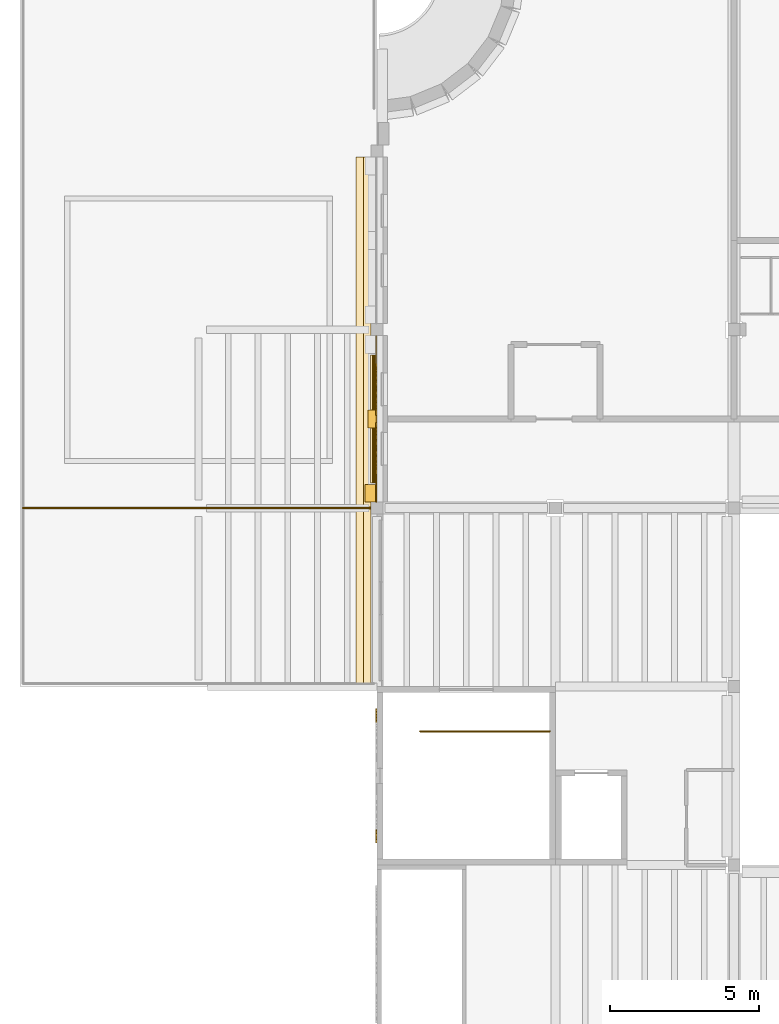
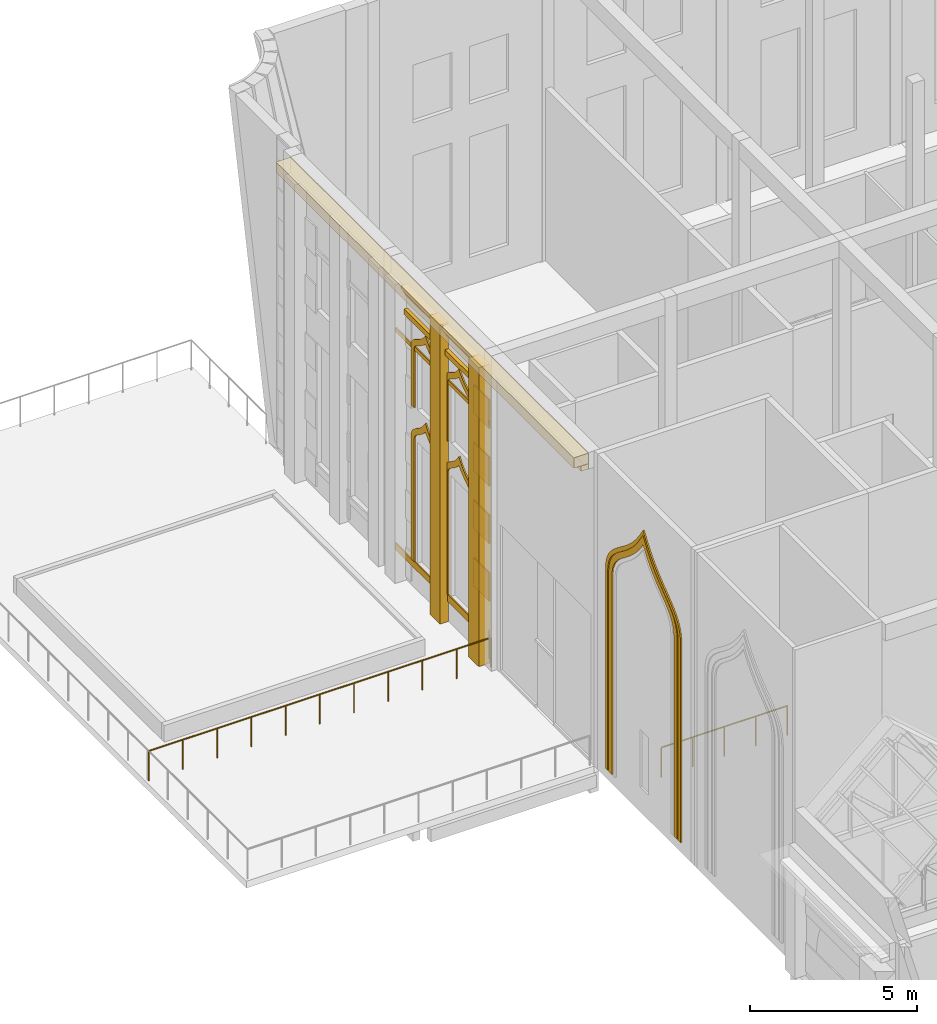
# One storey, part 113 of 118: 21 coverings, 2 railings.
"""IFC4 building model written with IfcOpenShell, lengths in metres."""

from ifc_helpers import new_model, si_unit, direction, frame, origin, origin_2d, place, context, subcontext, project, spatial, polyline, rectangle, circle, outline, extrude, material, layer, layer_set, type_object, element, save


model = new_model("IFC4")

# Units and contexts
model_context = context("Model", 3, precision=1e-05, world=origin(), true_north=direction((0.0, 1.0)))
body_context = subcontext(model_context, "Body", "Model", "MODEL_VIEW")
ifc_project = project(units=[si_unit("LENGTHUNIT", "METRE"), si_unit("AREAUNIT", "SQUARE_METRE"), si_unit("VOLUMEUNIT", "CUBIC_METRE"), si_unit("PLANEANGLEUNIT", "RADIAN"), si_unit("MASSUNIT", "GRAM", prefix="KILO")], contexts=[model_context])

# Site, building, storey
site_placement = place(None, origin())
site = spatial("IfcSite", under=ifc_project, at=site_placement, CompositionType="ELEMENT")
building_placement = place(site_placement, origin())
building = spatial("IfcBuilding", under=site, at=building_placement, Name="Saffron Lane Theatres", CompositionType="ELEMENT")
storey_placement = place(building_placement, frame((0.0, 0.0, 16.5)))
storey = spatial("IfcBuildingStorey", under=building, at=storey_placement, Name="L03", CompositionType="ELEMENT", Elevation=16.5)

# Coverings
ifc_material_1 = material(Name="Masonry sandstone", Category="masonry")
ifc_layer_1 = layer(ifc_material_1, 0.050048828125)
ifc_layer_set_1 = layer_set([ifc_layer_1], Name="Masonry sandstone")
covering_type_1 = type_object("IfcCoveringType", Name="EX-ARCH FRAME RING SANDSTONE 50", PredefinedType="CLADDING", material=ifc_layer_set_1)
covering_1_placement = place(storey_placement, frame((12.0, 96.962890625, 7.833984375), z_axis=(1.0, 0.0, 0.0), x_axis=(0.0, -0.063270109204, -0.997996439513)))
element("IfcCovering", 1, at=covering_1_placement, inside=storey, type_object=covering_type_1, Name="Arch recess ring L03", PredefinedType="CLADDING", context=body_context, shape_type="SweptSolid", body=[
    extrude(outline(polyline([(0.0, 0.0), (0.20451131328636926, 0.0), (7.420006078850079, 0.4574416537976993), (7.40735514637016, 0.6569922114054754), (0.19770801619422412, 0.19992128090389083), (0.0144407216005487, 0.20053419842883544), (-0.1432761019235517, 0.22258203382804242), (-0.2812437493538364, 0.2649631093819253), (-0.40748727254448935, 0.3269240290838356), (-0.5247605743453448, 0.40559926506631966), (-0.6390348645762146, 0.5025673058291871), (-0.7535359022319095, 0.6146880784224842), (-0.8697101493553678, 0.7416252505476917), (-0.9917579708393627, 0.8801769620388366), (-1.124428821741667, 1.0280850650198985), (-1.2693046879516765, 1.1832922200669196), (-1.4318505321466313, 1.3432502874173748), (-1.61456115889787, 1.5048655345333244), (-1.820983212694718, 1.6662006990332623), (-2.0556688375324716, 1.8257440342686455), (-2.188717697959195, 1.9024406220928562), (-2.066419813119802, 1.9953254605140816), (-1.8537613307928715, 2.18322912790225), (-1.6693664195068467, 2.369340966025863), (-1.5085284672263832, 2.552736206788559), (-1.367484574206089, 2.731940991928976), (-1.2433692125785105, 2.9042014185972795), (-1.1304393771943213, 3.067679900015165), (-1.0268659333000492, 3.2205353520147404), (-0.9276522769738447, 3.361127498880178), (-0.8282273200268198, 3.486810565389676), (-0.7271137068080267, 3.597433580892773), (-0.6207149550265398, 3.69028898295165), (-0.5032452165106046, 3.766722100760383), (-0.37179612037033916, 3.82716194744152), (-0.2181263594954924, 3.868950798358842), (-0.036403745302295454, 3.8927030282829542), (7.173243384873641, 4.349773958784539), (7.160592452393722, 4.549324516392314), (-0.05490231316998792, 4.091882862594615), (-0.25777626523185, 4.066055806298615), (-0.4399925942549357, 4.015362892944497), (-0.6007775027933451, 3.9430333789166583), (-0.7421419898590216, 3.8499182956810216), (-0.8672570220099287, 3.7397307051813806), (-0.980770921454978, 3.6163346400119867), (-1.0873594066215049, 3.480167565320222), (-1.1904062019339534, 3.334439793296892), (-1.295867070408131, 3.1804861609673156), (-1.406971268428434, 3.0190804657773938), (-1.527512589348264, 2.8521838689374683), (-1.6619231001204655, 2.6802492823989263), (-1.8152148514708935, 2.5051606333520864), (-1.9914252882274395, 2.3288636362032866), (-2.193447334475981, 2.15068562635549), (-2.5481036228327842, 1.8796565861857983), (-2.162059428738258, 1.6555858301906534), (-1.9391533034752475, 1.5043470465272013), (-1.7420124472922178, 1.3504962957412796), (-1.567913850947345, 1.1973864086493233), (-1.4128664100247506, 1.0438026252684656), (-1.2722133502906907, 0.8934650023216696), (-1.1416152856163493, 0.747382536704494), (-1.0175564651204108, 0.6079797937474251), (-0.896931206850517, 0.47643218780048757), (-0.7740000030469277, 0.3548160024812303), (-0.6458116397973328, 0.2467431668845833), (-0.5077830794984254, 0.15323812471010928), (-0.3557911912774569, 0.07872099349623404), (-0.18709751908859773, 0.026300952584901824), (0.0, 0.0)])), origin(), (0.0, 0.0, -1.0), 0.050048828125),
])
covering_2_placement = place(storey_placement, frame((12.0, 96.763916015625, 7.84912109375), z_axis=(1.0, 0.0, 0.0), x_axis=(0.0, -0.063067105822, -0.998009288616)))
element("IfcCovering", 2, at=covering_2_placement, inside=storey, type_object=covering_type_1, Name="Arch recess ring L03", PredefinedType="CLADDING", context=body_context, shape_type="SweptSolid", body=[
    extrude(outline(polyline([(0.0, 0.0), (0.22065410238359984, 0.0), (7.4352671482605315, 0.4559123543403382), (7.426444528232263, 0.5955264467174906), (0.21572995613898713, 0.13986044825926805), (0.01120324984086172, 0.1401457024385599), (-0.16661464303161863, 0.166826152522514), (-0.32408683559152085, 0.21607490839936183), (-0.46710723024222456, 0.28825340008036515), (-0.6001051004476012, 0.3799015700062919), (-0.7271917801175201, 0.490270355829437), (-0.8536968762192425, 0.6185337089889348), (-0.9827851974313513, 0.7605775943042785), (-1.1168470981407341, 0.9155170755147107), (-1.261591713839184, 1.080789727293752), (-1.418829706234838, 1.2540794801970379), (-1.5953961004210881, 1.4312849950160573), (-1.7941531627651468, 1.6112468863933098), (-2.017809187207904, 1.7903692228565102), (-2.272363155580528, 1.966805145670982), (-2.4713360494485013, 2.0843733579964816), (-2.288745821741221, 2.2260536522840537), (-2.0584271132717276, 2.4331300879366635), (-1.859098732187894, 2.6389820376094155), (-1.684576929746966, 2.8425325046992453), (-1.5317222892143505, 3.04055509155704), (-1.3975493662817773, 3.232259946648473), (-1.2747612185768877, 3.414438770837703), (-1.1612700340241646, 3.5850218505624816), (-1.0510895267644345, 3.7421858281426754), (-0.9417369589550166, 3.8853537121701716), (-0.8295548101530967, 4.010842590258168), (-0.7091518844208844, 4.118503892521613), (-0.5763552588779816, 4.208112062862301), (-0.42633533175207877, 4.2767921389410235), (-0.2532905840955898, 4.325644618415389), (-0.050426780001745275, 4.35167406227577), (7.160287792091531, 4.807340060733993), (7.151465172063263, 4.946954153111145), (-0.06314787381366846, 4.491041798770807), (-0.28204669053719406, 4.463265173062264), (-0.4748093632101681, 4.409007991296921), (-0.6452138889458251, 4.329988531727125), (-0.7951660141787333, 4.229266523603667), (-0.9290696204287744, 4.110722342196935), (-1.0496511001501079, 3.9749175816724094), (-1.1644664475692028, 3.825288798534778), (-1.2765780932074908, 3.6638441173757603), (-1.3909823072355991, 3.4922248302345396), (-1.5116545496503437, 3.3114028542863916), (-1.6450992100191186, 3.1236580619491425), (-1.7933887031748097, 2.9308165121735614), (-1.9622040713945823, 2.7337423414364994), (-2.1560542756261065, 2.5341076362624033), (-2.3787173129826167, 2.333630674903618), (-2.718645480099129, 2.068745156724768), (-2.3480768001444785, 1.8487579980615008), (-2.101948365016449, 1.6779053315271268), (-1.8845095850723483, 1.5042611719162358), (-1.6922288190810568, 1.330005714760139), (-1.5208434619770204, 1.1573653473180439), (-1.3648264439093958, 0.987912479227884), (-1.2223517059274132, 0.8237195253225451), (-1.0872535978015876, 0.667867014636728), (-0.9557106319614249, 0.5218195761099406), (-0.8229728941184138, 0.38783439148665516), (-0.6862551041185031, 0.26828911918176446), (-0.5384939794994548, 0.16754415025789063), (-0.37705551126290276, 0.08649981821842358), (-0.19805932413846122, 0.029560004583244877), (0.0, 0.0)])), origin(), (0.0, 0.0, -1.0), 0.050048828125),
])
ifc_material_2 = material(Name="Masonry sandstone", Category="masonry")
ifc_layer_2 = layer(ifc_material_2, 0.25)
ifc_layer_set_2 = layer_set([ifc_layer_2], Name="Masonry sandstone")
covering_type_2 = type_object("IfcCoveringType", Name="EX-CORBEL COURSE SANDSTONE 250", PredefinedType="CLADDING", material=ifc_layer_set_2)
covering_3_placement = place(storey_placement, frame((11.675048828125, 110.89990234375, 10.89990234375), z_axis=(0.0, 0.0, 1.0), x_axis=(0.0, 1.0, 0.0)))
element("IfcCovering", 3, at=covering_3_placement, inside=storey, type_object=covering_type_2, Name="Corbel course west face", PredefinedType="CLADDING", context=body_context, shape_type="SweptSolid", body=[
    extrude(rectangle(XDim=17.800048828125, YDim=0.25, at=origin_2d()), origin(), (0.0, 0.0, 1.0), 0.199951171875),
])
ifc_material_3 = material(Name="Masonry sandstone", Category="masonry")
ifc_layer_3 = layer(ifc_material_3, 0.5)
ifc_layer_set_3 = layer_set([ifc_layer_3], Name="Masonry sandstone")
covering_type_3 = type_object("IfcCoveringType", Name="EX-CORNICE SANDSTONE 500", PredefinedType="CLADDING", material=ifc_layer_set_3)
covering_4_placement = place(storey_placement, frame((11.550048828125, 110.89990234375, 11.10009765625), z_axis=(0.0, 0.0, 1.0), x_axis=(0.0, 1.0, 0.0)))
element("IfcCovering", 4, at=covering_4_placement, inside=storey, type_object=covering_type_3, Name="Cornice west face", PredefinedType="CLADDING", context=body_context, shape_type="SweptSolid", body=[
    extrude(rectangle(XDim=17.800048828125, YDim=0.5, at=origin_2d()), origin(), (0.0, 0.0, 1.0), 0.3798828125),
])
ifc_material_4 = material(Name="Masonry sandstone", Category="masonry")
ifc_layer_4 = layer(ifc_material_4, 0.179931640625)
ifc_layer_set_4 = layer_set([ifc_layer_4], Name="Masonry sandstone")
covering_type_4 = type_object("IfcCoveringType", Name="EX-EAVES CORNICE SANDSTONE 180", PredefinedType="CLADDING", material=ifc_layer_set_4)
covering_5_placement = place(storey_placement, frame((11.889892578125, 111.0, 10.7099609375), z_axis=(0.0, 0.0, 1.0), x_axis=(0.0, 1.0, 0.0)))
element("IfcCovering", 5, at=covering_5_placement, inside=storey, type_object=covering_type_4, Name="Eaves cornice L03", PredefinedType="CLADDING", context=body_context, shape_type="SweptSolid", body=[
    extrude(rectangle(XDim=4.300048828125, YDim=0.219970703125, at=origin_2d()), origin(), (0.0, 0.0, 1.0), 0.1298828125),
])
covering_6_placement = place(storey_placement, frame((11.925048828125, 111.0, 10.580078125), z_axis=(0.0, 0.0, 1.0), x_axis=(0.0, 1.0, 0.0)))
element("IfcCovering", 6, at=covering_6_placement, inside=storey, type_object=covering_type_4, Name="Eaves cornice L03", PredefinedType="CLADDING", context=body_context, shape_type="SweptSolid", body=[
    extrude(rectangle(XDim=4.300048828125, YDim=0.14990234375, at=origin_2d()), origin(), (0.0, 0.0, 1.0), 0.1298828125),
])
covering_7_placement = place(storey_placement, frame((11.9599609375, 111.0, 10.449951171875), z_axis=(0.0, 0.0, 1.0), x_axis=(0.0, 1.0, 0.0)))
element("IfcCovering", 7, at=covering_7_placement, inside=storey, type_object=covering_type_4, Name="Eaves cornice L03", PredefinedType="CLADDING", context=body_context, shape_type="SweptSolid", body=[
    extrude(rectangle(XDim=4.300048828125, YDim=0.080078125, at=origin_2d()), origin(), (0.0, 0.0, 1.0), 0.1298828125),
])
ifc_material_5 = material(Name="Masonry sandstone", Category="masonry")
ifc_layer_5 = layer(ifc_material_5, 0.1201171875)
ifc_layer_set_5 = layer_set([ifc_layer_5], Name="Masonry sandstone")
covering_type_5 = type_object("IfcCoveringType", Name="EX-EAVES STRING COURSE SANDSTONE 120", PredefinedType="CLADDING", material=ifc_layer_set_5)
covering_8_placement = place(storey_placement, frame((11.93994140625, 111.0, 9.75), z_axis=(0.0, 0.0, 1.0), x_axis=(0.0, 1.0, 0.0)))
element("IfcCovering", 8, at=covering_8_placement, inside=storey, type_object=covering_type_5, Name="Eaves string course L03", PredefinedType="CLADDING", context=body_context, shape_type="SweptSolid", body=[
    extrude(rectangle(XDim=4.300048828125, YDim=0.1201171875, at=origin_2d()), origin(), (0.0, 0.0, 1.0), 0.199951171875),
])
ifc_material_6 = material(Name="Face brick cladding, pale buff", Category="masonry")
ifc_layer_6 = layer(ifc_material_6, 0.0400390625)
ifc_layer_set_6 = layer_set([ifc_layer_6], Name="Face brick cladding, pale buff")
covering_type_6 = type_object("IfcCoveringType", Name="EX-FACE BRICK CLADDING PALE BUFF 40", PredefinedType="CLADDING", material=ifc_layer_set_6)
for number, where, z_axis, x_axis, name in (
    (9, (11.97998046875, 108.6650390625, 0.14990234375), (0.0, 0.0, 1.0), (0.0, 1.0, 0.0), "Cladding course L03"),
    (10, (11.97998046875, 108.6650390625, 2.25), (0.0, 0.0, 1.0), (0.0, 1.0, 0.0), "Cladding course L03"),
    (11, (11.97998046875, 108.6650390625, 4.35009765625), (0.0, 0.0, 1.0), (0.0, 1.0, 0.0), "Cladding course L03"),
    (12, (11.97998046875, 108.6650390625, 6.4501953125), (0.0, 0.0, 1.0), (0.0, 1.0, 0.0), "Cladding course L03"),
    (13, (11.97998046875, 108.6650390625, 8.5498046875), (0.0, 0.0, 1.0), (0.0, 1.0, 0.0), "Cladding course L03"),
):
    element("IfcCovering", number, at=place(storey_placement, frame(where, z_axis=z_axis, x_axis=x_axis)), inside=storey, type_object=covering_type_6, Name=name, PredefinedType="CLADDING", context=body_context, shape_type="SweptSolid", body=[
        extrude(rectangle(XDim=0.929931640625, YDim=0.0400390625, at=origin_2d()), origin(), (0.0, 0.0, 1.0), 1.050048828125),
    ])
ifc_material_7 = material(Name="Masonry sandstone", Category="masonry")
ifc_layer_7 = layer(ifc_material_7, 0.0400390625)
ifc_layer_set_7 = layer_set([ifc_layer_7], Name="Masonry sandstone")
covering_type_7 = type_object("IfcCoveringType", Name="EX-HEAD COURSE SANDSTONE 150", PredefinedType="CLADDING", material=ifc_layer_set_7)
covering_9_placement = place(storey_placement, frame((11.97998046875, 111.0, 8.699951171875), z_axis=(0.0, 0.0, 1.0), x_axis=(0.0, 1.0, 0.0)))
element("IfcCovering", 14, at=covering_9_placement, inside=storey, type_object=covering_type_7, Name="Facade head course L03", PredefinedType="CLADDING", context=body_context, shape_type="SweptSolid", body=[
    extrude(rectangle(XDim=5.60009765625, YDim=0.0400390625, at=origin_2d()), origin(), (0.0, 0.0, 1.0), 0.14990234375),
])
ifc_material_8 = material(Name="Masonry sandstone", Category="masonry")
ifc_layer_8 = layer(ifc_material_8, 0.050048828125)
ifc_layer_set_8 = layer_set([ifc_layer_8], Name="Masonry sandstone")
covering_type_8 = type_object("IfcCoveringType", Name="EX-HOOD RING SANDSTONE 50", PredefinedType="CLADDING", material=ifc_layer_set_8)
covering_10_placement = place(storey_placement, frame((12.0, 109.135986328125, 5.531982421875), z_axis=(1.0, 0.0, 0.0), x_axis=(0.0, -0.078130341124, -0.99694315274)))
element("IfcCovering", 15, at=covering_10_placement, inside=storey, type_object=covering_type_8, Name="Window hood ring L03", PredefinedType="CLADDING", context=body_context, shape_type="SweptSolid", body=[
    extrude(outline(polyline([(0.0, 0.0), (0.07811965924127641, 8.673617379884035e-19), (4.51860571358575, 0.348000474478407), (4.5029643855287285, 0.5475838204859967), (0.07051034388943878, 0.2002128140879333), (0.015441424254536285, 0.1998152954578012), (-0.02623088864743072, 0.2065898979855227), (-0.06326879049484424, 0.21984992921981394), (-0.09703727328253409, 0.2382639687967968), (-0.13214633233345252, 0.26440940238362326), (-0.16685405779617615, 0.29793296486368853), (-0.2041193311441259, 0.33909254740203026), (-0.24420462149201466, 0.38811246953273454), (-0.28736782000488015, 0.4420338497823805), (-0.3340575657508945, 0.5003317499215421), (-0.38620193853494034, 0.5626101773033125), (-0.4454665490471872, 0.6282488197466987), (-0.5118468193379598, 0.6940644762441935), (-0.5873280535830812, 0.7603913371220885), (-0.6587104968856504, 0.8150398483784828), (-0.5967128504172938, 0.8801413447266424), (-0.5324857424571023, 0.9574171352444522), (-0.47716885054812513, 1.0327701868986672), (-0.4287768705145394, 1.105866309362996), (-0.387047333241632, 1.1764811831033524), (-0.3500094313942185, 1.2413408111103374), (-0.3157732347480431, 1.3013279746796576), (-0.2837375059124262, 1.355020457445542), (-0.25341545623856876, 1.4024564089886185), (-0.2243538687086235, 1.4409775665308049), (-0.19374646017167702, 1.4722731935022604), (-0.16325884131789892, 1.4957229777219914), (-0.12873881179185953, 1.5145909973084342), (-0.08863063169559462, 1.5277747293814716), (-0.03417210535072224, 1.5359608663923878), (4.3982819362885675, 1.8833318727904511), (4.382640608231546, 2.082915218798041), (-0.05784544611292687, 1.734914744319634), (-0.13501136583853127, 1.722745028099659), (-0.20734831164838508, 1.6989541866291236), (-0.27201185081094814, 1.6647446946893871), (-0.3286105686289885, 1.6213716734830736), (-0.3758748470592437, 1.571383514996059), (-0.41699246505889587, 1.5179588422861752), (-0.4546407601963395, 1.4608878326599741), (-0.48889603163282835, 1.4011440634150536), (-0.5242729007397474, 1.3400879485965684), (-0.5594971715241591, 1.2770846791828874), (-0.5985585271280223, 1.2130460301509924), (-0.64166221229511, 1.147466138061772), (-0.6905310620865317, 1.0804548737074307), (-0.7455610691491948, 1.0139403168928514), (-0.8105702435122374, 0.9466436936754209), (-0.9836419199589825, 0.7895750033100398), (-0.7882145892648852, 0.6613855454792072), (-0.7135154214226149, 0.6050378519016919), (-0.6487954208807241, 0.5479080919213253), (-0.5900839792875671, 0.48932788488552464), (-0.5372903006412517, 0.43126346017979944), (-0.48872969946129513, 0.3740917356607433), (-0.4441206318426708, 0.31734499746987055), (-0.3995878633853003, 0.2615718365765959), (-0.35652003882400196, 0.2088674279489475), (-0.3104406863680177, 0.1583581461905698), (-0.26150240433985494, 0.11199114589665882), (-0.2070278551711193, 0.06997624976066244), (-0.14436335403340483, 0.035949875807934885), (-0.075160014776243, 0.012231518540590533), (0.0, 0.0)])), origin(), (0.0, 0.0, -1.0), 0.050048828125),
])
covering_11_placement = place(storey_placement, frame((12.0, 111.135986328125, 5.531982421875), z_axis=(1.0, 0.0, 0.0), x_axis=(0.0, -0.078130341124, -0.99694315274)))
element("IfcCovering", 16, at=covering_11_placement, inside=storey, type_object=covering_type_8, Name="Window hood ring L03", PredefinedType="CLADDING", context=body_context, shape_type="SweptSolid", body=[
    extrude(outline(polyline([(0.0, 0.0), (0.07811965924127641, 8.673617379884035e-19), (4.51860571358575, 0.348000474478407), (4.5029643855287285, 0.5475838204859967), (0.07051034388943878, 0.2002128140879333), (0.015441424254536285, 0.1998152954578012), (-0.02623088864743072, 0.2065898979855227), (-0.06326879049484424, 0.21984992921981394), (-0.09703727328253409, 0.2382639687967968), (-0.13214633233345252, 0.26440940238362326), (-0.16685405779617615, 0.29793296486368853), (-0.2041193311441259, 0.33909254740203026), (-0.24420462149201466, 0.38811246953273454), (-0.28736782000488015, 0.4420338497823805), (-0.3340575657508945, 0.5003317499215421), (-0.38620193853494034, 0.5626101773033125), (-0.4454665490471872, 0.6282488197466987), (-0.5118468193379598, 0.6940644762441935), (-0.5873280535830812, 0.7603913371220885), (-0.6587104968856504, 0.8150398483784828), (-0.5967128504172938, 0.8801413447266424), (-0.5324857424571023, 0.9574171352444522), (-0.47716885054812513, 1.0327701868986672), (-0.4287768705145394, 1.105866309362996), (-0.387047333241632, 1.1764811831033524), (-0.3500094313942185, 1.2413408111103374), (-0.3157732347480431, 1.3013279746796576), (-0.2837375059124262, 1.355020457445542), (-0.25341545623856876, 1.4024564089886185), (-0.2243538687086235, 1.4409775665308049), (-0.19374646017167702, 1.4722731935022604), (-0.16325884131789892, 1.4957229777219914), (-0.12873881179185953, 1.5145909973084342), (-0.08863063169559462, 1.5277747293814716), (-0.03417210535072224, 1.5359608663923878), (4.3982819362885675, 1.8833318727904511), (4.382640608231546, 2.082915218798041), (-0.05784544611292687, 1.734914744319634), (-0.13501136583853127, 1.722745028099659), (-0.20734831164838508, 1.6989541866291236), (-0.27201185081094814, 1.6647446946893871), (-0.3286105686289885, 1.6213716734830736), (-0.3758748470592437, 1.571383514996059), (-0.41699246505889587, 1.5179588422861752), (-0.4546407601963395, 1.4608878326599741), (-0.48889603163282835, 1.4011440634150536), (-0.5242729007397474, 1.3400879485965684), (-0.5594971715241591, 1.2770846791828874), (-0.5985585271280223, 1.2130460301509924), (-0.64166221229511, 1.147466138061772), (-0.6905310620865317, 1.0804548737074307), (-0.7455610691491948, 1.0139403168928514), (-0.8105702435122374, 0.9466436936754209), (-0.9836419199589825, 0.7895750033100398), (-0.7882145892648852, 0.6613855454792072), (-0.7135154214226149, 0.6050378519016919), (-0.6487954208807241, 0.5479080919213253), (-0.5900839792875671, 0.48932788488552464), (-0.5372903006412517, 0.43126346017979944), (-0.48872969946129513, 0.3740917356607433), (-0.4441206318426708, 0.31734499746987055), (-0.3995878633853003, 0.2615718365765959), (-0.35652003882400196, 0.2088674279489475), (-0.3104406863680177, 0.1583581461905698), (-0.26150240433985494, 0.11199114589665882), (-0.2070278551711193, 0.06997624976066244), (-0.14436335403340483, 0.035949875807934885), (-0.075160014776243, 0.012231518540590533), (0.0, 0.0)])), origin(), (0.0, 0.0, -1.0), 0.050048828125),
])
covering_12_placement = place(storey_placement, frame((12.0, 109.135986328125, 8.825927734375), z_axis=(1.0, 0.0, 0.0), x_axis=(0.0, -0.084443076686, -0.996428304897)))
element("IfcCovering", 17, at=covering_12_placement, inside=storey, type_object=covering_type_8, Name="Window hood ring L03", PredefinedType="CLADDING", context=body_context, shape_type="SweptSolid", body=[
    extrude(outline(polyline([(0.0, 0.0), (0.07227964522991924, -8.673617379884035e-19), (2.2183954913726747, 0.18187422424938607), (2.2014903832470236, 0.3813545001320725), (0.06315913323627513, 0.20013998741929723), (0.018067849708927903, 0.20023894414978885), (-0.0145631321706831, 0.20653918932442183), (-0.04468721021117312, 0.21795219890778844), (-0.07313727022751326, 0.23563246808895752), (-0.10348400091160942, 0.26123752210366363), (-0.13449044313231637, 0.29462717225037705), (-0.16814397789367408, 0.3361230279031955), (-0.2044033732246444, 0.3852385518038685), (-0.24302123729899833, 0.4390545204028934), (-0.28523452924788095, 0.49771112240179993), (-0.3327255134896499, 0.5608207772728292), (-0.3852674141835952, 0.6257075300956039), (-0.4440559584898239, 0.6920250323134031), (-0.5119279060157623, 0.758552817583497), (-0.5811481389946491, 0.8178608847248068), (-0.5228956103119167, 0.887971728278118), (-0.4671870942422396, 0.9649724341919081), (-0.42039705350811957, 1.0402372741249915), (-0.3795238006179775, 1.1130405653870954), (-0.34333037644066833, 1.1832421192766907), (-0.31159000513548185, 1.2481659808733996), (-0.28257919031302253, 1.3077131934467305), (-0.25501974087110696, 1.3612570310369034), (-0.2289116568097351, 1.4087974936439185), (-0.20396631433163975, 1.4469288204600217), (-0.17836126031693364, 1.477275551144118), (-0.15329222192572375, 1.4994913371394862), (-0.12551836623440968, 1.5158109512763955), (-0.09441296728321111, 1.5275125846570292), (-0.04998139529247468, 1.535198224058545), (2.0883498547182735, 1.7164127367713202), (2.0714447465926225, 1.9158930126540068), (-0.07467109955013333, 1.7340187884046208), (-0.14591994550409823, 1.7218553569483592), (-0.21315692067604877, 1.6970460799746898), (-0.2723289223129325, 1.6609145037539377), (-0.3227102677244774, 1.6164623157776823), (-0.36456896472243183, 1.5668520082245512), (-0.4001562789254799, 1.5126278431122484), (-0.43160390323629527, 1.4558143102187484), (-0.4616496405318128, 1.3969144395907165), (-0.49146860198662035, 1.3353386140423074), (-0.5214277521429577, 1.2725258293627528), (-0.5551967364232222, 1.208410114398392), (-0.5918024803109132, 1.1430739330913013), (-0.6331911328390325, 1.076352357557328), (-0.6817170395538596, 1.010005992959802), (-0.7363246619968173, 0.9431442287242988), (-0.8820714332225553, 0.792358910637696), (-0.7129461344181727, 0.6672776032962909), (-0.647948055273595, 0.6115319784526796), (-0.5888667639729953, 0.5533248049380891), (-0.5369227268591035, 0.4954928423599461), (-0.48984406232771627, 0.4372485600714213), (-0.4457670852879081, 0.3797299604731684), (-0.40566487025618, 0.32285457962311104), (-0.36590900378117247, 0.2671749259331607), (-0.3263799131468749, 0.21417122716358789), (-0.2858200232366231, 0.16346002598373752), (-0.24161522708659655, 0.11599790412169526), (-0.19200491953346546, 0.07413920712374089), (-0.13486153087165995, 0.03879928474692186), (-0.07045306891292813, 0.013140629169866094), (0.0, 0.0)])), origin(), (0.0, 0.0, -1.0), 0.050048828125),
])
covering_13_placement = place(storey_placement, frame((12.0, 111.135986328125, 8.825927734375), z_axis=(1.0, 0.0, 0.0), x_axis=(0.0, -0.084443076686, -0.996428304897)))
element("IfcCovering", 18, at=covering_13_placement, inside=storey, type_object=covering_type_8, Name="Window hood ring L03", PredefinedType="CLADDING", context=body_context, shape_type="SweptSolid", body=[
    extrude(outline(polyline([(0.0, 0.0), (0.07227964522991924, -8.673617379884035e-19), (2.2183954913726747, 0.18187422424938607), (2.2014903832470236, 0.3813545001320725), (0.06315913323627513, 0.20013998741929723), (0.018067849708927903, 0.20023894414978885), (-0.0145631321706831, 0.20653918932442183), (-0.04468721021117312, 0.21795219890778844), (-0.07313727022751326, 0.23563246808895752), (-0.10348400091160942, 0.26123752210366363), (-0.13449044313231637, 0.29462717225037705), (-0.16814397789367408, 0.3361230279031955), (-0.2044033732246444, 0.3852385518038685), (-0.24302123729899833, 0.4390545204028934), (-0.28523452924788095, 0.49771112240179993), (-0.3327255134896499, 0.5608207772728292), (-0.3852674141835952, 0.6257075300956039), (-0.4440559584898239, 0.6920250323134031), (-0.5119279060157623, 0.758552817583497), (-0.5811481389946491, 0.8178608847248068), (-0.5228956103119167, 0.887971728278118), (-0.4671870942422396, 0.9649724341919081), (-0.42039705350811957, 1.0402372741249915), (-0.3795238006179775, 1.1130405653870954), (-0.34333037644066833, 1.1832421192766907), (-0.31159000513548185, 1.2481659808733996), (-0.28257919031302253, 1.3077131934467305), (-0.25501974087110696, 1.3612570310369034), (-0.2289116568097351, 1.4087974936439185), (-0.20396631433163975, 1.4469288204600217), (-0.17836126031693364, 1.477275551144118), (-0.15329222192572375, 1.4994913371394862), (-0.12551836623440968, 1.5158109512763955), (-0.09441296728321111, 1.5275125846570292), (-0.04998139529247468, 1.535198224058545), (2.0883498547182735, 1.7164127367713202), (2.0714447465926225, 1.9158930126540068), (-0.07467109955013333, 1.7340187884046208), (-0.14591994550409823, 1.7218553569483592), (-0.21315692067604877, 1.6970460799746898), (-0.2723289223129325, 1.6609145037539377), (-0.3227102677244774, 1.6164623157776823), (-0.36456896472243183, 1.5668520082245512), (-0.4001562789254799, 1.5126278431122484), (-0.43160390323629527, 1.4558143102187484), (-0.4616496405318128, 1.3969144395907165), (-0.49146860198662035, 1.3353386140423074), (-0.5214277521429577, 1.2725258293627528), (-0.5551967364232222, 1.208410114398392), (-0.5918024803109132, 1.1430739330913013), (-0.6331911328390325, 1.076352357557328), (-0.6817170395538596, 1.010005992959802), (-0.7363246619968173, 0.9431442287242988), (-0.8820714332225553, 0.792358910637696), (-0.7129461344181727, 0.6672776032962909), (-0.647948055273595, 0.6115319784526796), (-0.5888667639729953, 0.5533248049380891), (-0.5369227268591035, 0.4954928423599461), (-0.48984406232771627, 0.4372485600714213), (-0.4457670852879081, 0.3797299604731684), (-0.40566487025618, 0.32285457962311104), (-0.36590900378117247, 0.2671749259331607), (-0.3263799131468749, 0.21417122716358789), (-0.2858200232366231, 0.16346002598373752), (-0.24161522708659655, 0.11599790412169526), (-0.19200491953346546, 0.07413920712374089), (-0.13486153087165995, 0.03879928474692186), (-0.07045306891292813, 0.013140629169866094), (0.0, 0.0)])), origin(), (0.0, 0.0, -1.0), 0.050048828125),
])
ifc_material_9 = material(Name="Masonry sandstone", Category="masonry")
ifc_layer_9 = layer(ifc_material_9, 0.39990234375)
ifc_layer_set_9 = layer_set([ifc_layer_9], Name="Masonry sandstone")
covering_type_9 = type_object("IfcCoveringType", Name="EX-PILASTER PIER SANDSTONE 400", PredefinedType="CLADDING", material=ifc_layer_set_9)
covering_14_placement = place(storey_placement, frame((11.800048828125, 108.5, 0.0), z_axis=(0.0, 0.0, 1.0), x_axis=(0.0, 1.0, 0.0)))
element("IfcCovering", 19, at=covering_14_placement, inside=storey, type_object=covering_type_9, Name="Pilaster pier L03", PredefinedType="CLADDING", context=body_context, shape_type="SweptSolid", body=[
    extrude(rectangle(XDim=0.60009765625, YDim=0.39990234375, at=origin_2d()), origin(), (0.0, 0.0, 1.0), 10.89990234375),
])
ifc_material_10 = material(Name="Masonry pale clay brick", Category="masonry")
ifc_layer_10 = layer(ifc_material_10, 0.300048828125)
ifc_layer_set_10 = layer_set([ifc_layer_10], Name="Masonry pale clay brick")
covering_type_10 = type_object("IfcCoveringType", Name="EX-PILASTER STRIP BRICK 300", PredefinedType="CLADDING", material=ifc_layer_set_10)
covering_15_placement = place(storey_placement, frame((11.85009765625, 111.0, 0.0), z_axis=(0.0, 0.0, 1.0), x_axis=(0.0, 1.0, 0.0)))
element("IfcCovering", 20, at=covering_15_placement, inside=storey, type_object=covering_type_10, Name="Pilaster strip L03", PredefinedType="CLADDING", context=body_context, shape_type="SweptSolid", body=[
    extrude(rectangle(XDim=0.60009765625, YDim=0.300048828125, at=origin_2d()), origin(), (0.0, 0.0, 1.0), 10.89990234375),
])
ifc_material_11 = material(Name="Masonry sandstone", Category="masonry")
ifc_layer_11 = layer(ifc_material_11, 0.0400390625)
ifc_layer_set_11 = layer_set([ifc_layer_11], Name="Masonry sandstone")
covering_type_11 = type_object("IfcCoveringType", Name="EX-SILL COURSE SANDSTONE 250", PredefinedType="CLADDING", material=ifc_layer_set_11)
covering_16_placement = place(storey_placement, frame((11.97998046875, 111.0, 0.75), z_axis=(0.0, 0.0, 1.0), x_axis=(0.0, 1.0, 0.0)))
element("IfcCovering", 21, at=covering_16_placement, inside=storey, type_object=covering_type_11, Name="Facade sill course L03", PredefinedType="CLADDING", context=body_context, shape_type="SweptSolid", body=[
    extrude(rectangle(XDim=5.60009765625, YDim=0.0400390625, at=origin_2d()), origin(), (0.0, 0.0, 1.0), 0.25),
])

# Railings
ifc_material_12 = material(Name="Steel Grade 350", Category="steel")
railing_type = type_object("IfcRailingType", Name="VC-GUARD 1100", PredefinedType="GUARDRAIL", material=ifc_material_12)
railing_1_placement = place(storey_placement, frame((17.800048828125, 100.5, 0.0)))
element("IfcRailing", 22, at=railing_1_placement, inside=storey, type_object=railing_type, Name="Brick Block West Stair guard L03", PredefinedType="GUARDRAIL", context=body_context, shape_type="SweptSolid", body=[
    extrude(circle(Radius=0.02392578125, at=origin_2d()), frame((0.0, 0.0, 1.076171875), z_axis=(-1.0, 0.0, 0.0), x_axis=(0.0, -1.0, 0.0)), (0.0, 0.0, 1.0), 4.35009765625),
    extrude(circle(Radius=0.02099609375, at=origin_2d()), origin(), (0.0, 0.0, 1.0), 1.052001953125),
    extrude(circle(Radius=0.02099609375, at=origin_2d()), frame((-1.08740234375, 0.0, 0.0)), (0.0, 0.0, 1.0), 1.052001953125),
    extrude(circle(Radius=0.02099609375, at=origin_2d()), frame((-2.175048828125, 0.0, 0.0)), (0.0, 0.0, 1.0), 1.052001953125),
    extrude(circle(Radius=0.02099609375, at=origin_2d()), frame((-3.2626953125, 0.0, 0.0)), (0.0, 0.0, 1.0), 1.052001953125),
    extrude(circle(Radius=0.02099609375, at=origin_2d()), frame((-4.35009765625, 0.0, 0.0)), (0.0, 0.0, 1.0), 1.052001953125),
])
railing_2_placement = place(storey_placement, frame((0.10009765625, 108.0, 0.0)))
element("IfcRailing", 23, at=railing_2_placement, inside=storey, Name="Roof garden guard W", PredefinedType="GUARDRAIL", context=body_context, shape_type="SweptSolid", body=[
    extrude(circle(Radius=0.02392578125, at=origin_2d()), frame((0.0, 0.0, 1.076171875), z_axis=(1.0, 0.0, 0.0), x_axis=(0.0, 1.0, 0.0)), (0.0, 0.0, 1.0), 11.7998046875),
    extrude(circle(Radius=0.02099609375, at=origin_2d()), origin(), (0.0, 0.0, 1.0), 1.052001953125),
    extrude(circle(Radius=0.02099609375, at=origin_2d()), frame((1.179931640625, 0.0, 0.0)), (0.0, 0.0, 1.0), 1.052001953125),
    extrude(circle(Radius=0.02099609375, at=origin_2d()), frame((2.35986328125, 0.0, 0.0)), (0.0, 0.0, 1.0), 1.052001953125),
    extrude(circle(Radius=0.02099609375, at=origin_2d()), frame((3.5400390625, 0.0, 0.0)), (0.0, 0.0, 1.0), 1.052001953125),
    extrude(circle(Radius=0.02099609375, at=origin_2d()), frame((4.719970703125, 0.0, 0.0)), (0.0, 0.0, 1.0), 1.052001953125),
    extrude(circle(Radius=0.02099609375, at=origin_2d()), frame((5.89990234375, 0.0, 0.0)), (0.0, 0.0, 1.0), 1.052001953125),
    extrude(circle(Radius=0.02099609375, at=origin_2d()), frame((7.079833984375, 0.0, 0.0)), (0.0, 0.0, 1.0), 1.052001953125),
    extrude(circle(Radius=0.02099609375, at=origin_2d()), frame((8.259765625, 0.0, 0.0)), (0.0, 0.0, 1.0), 1.052001953125),
    extrude(circle(Radius=0.02099609375, at=origin_2d()), frame((9.43994140625, 0.0, 0.0)), (0.0, 0.0, 1.0), 1.052001953125),
    extrude(circle(Radius=0.02099609375, at=origin_2d()), frame((10.619873046875, 0.0, 0.0)), (0.0, 0.0, 1.0), 1.052001953125),
    extrude(circle(Radius=0.02099609375, at=origin_2d()), frame((11.7998046875, 0.0, 0.0)), (0.0, 0.0, 1.0), 1.052001953125),
])

save(model, "model.ifc")
